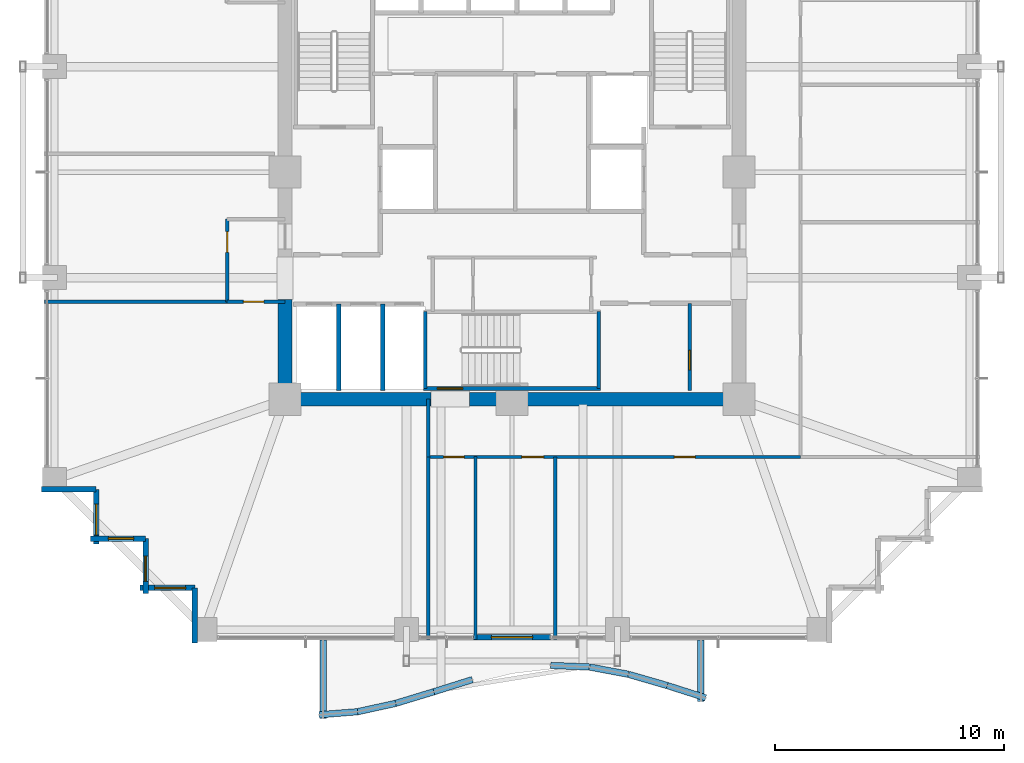
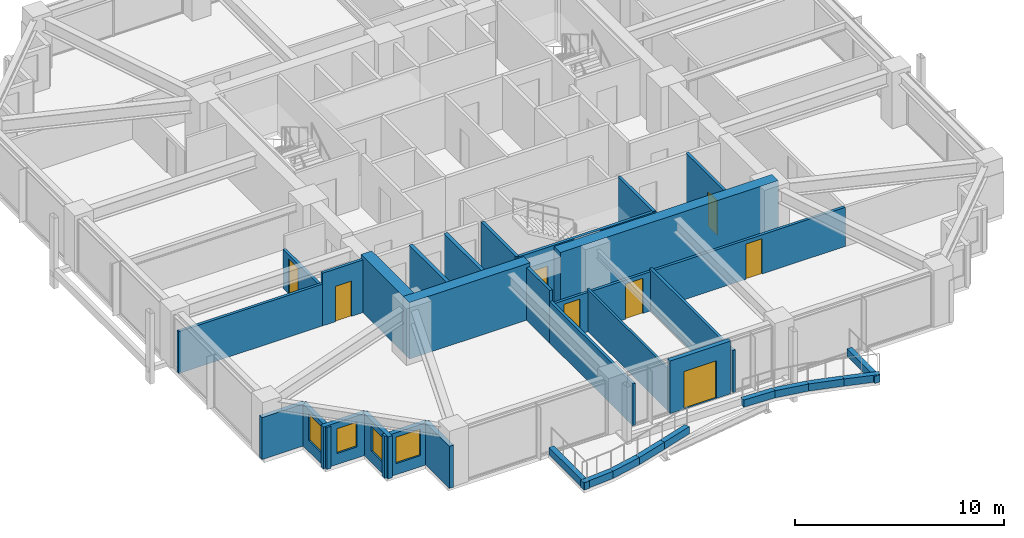
# One storey, part 32 of 38: 34 walls, 8 doors, 4 windows, 12 openings.
"""IFC4 building model written with IfcOpenShell, lengths in metres."""

from ifc_helpers import new_model, si_unit, direction, frame, frame_2d, origin, place, context, subcontext, project, spatial, rectangle, extrude, material, layer, layer_set, type_object, element, fill, save


model = new_model("IFC4")

# Units and contexts
model_context = context("Model", 3, precision=1e-05, world=origin(), true_north=direction((0.0, 1.0)))
body_context = subcontext(model_context, "Body", "Model", "MODEL_VIEW")
ifc_project = project(units=[si_unit("LENGTHUNIT", "METRE"), si_unit("AREAUNIT", "SQUARE_METRE"), si_unit("VOLUMEUNIT", "CUBIC_METRE"), si_unit("PLANEANGLEUNIT", "RADIAN"), si_unit("MASSUNIT", "GRAM", prefix="KILO")], contexts=[model_context])

# Site, building, storey
site_placement = place(None, origin())
site = spatial("IfcSite", under=ifc_project, at=site_placement, CompositionType="ELEMENT")
building_placement = place(site_placement, origin())
building = spatial("IfcBuilding", under=site, at=building_placement, Name="Kolvaren Belvedere", CompositionType="ELEMENT")
storey_placement = place(building_placement, frame((0.0, 0.0, 72.199951171875)))
storey = spatial("IfcBuildingStorey", under=building, at=storey_placement, Name="L20", CompositionType="ELEMENT", Elevation=72.199951171875)

# Walls
ifc_material_1 = material(Name="Concrete C60/75", Category="concrete")
ifc_layer_1 = layer(ifc_material_1, 0.60009765625)
ifc_layer_set_1 = layer_set([ifc_layer_1], Name="Concrete C60/75")
wall_type_1 = type_object("IfcWallType", Name="CW-CORE-600", PredefinedType="SHEAR", material=ifc_layer_set_1)
wall_1_placement = place(storey_placement, frame((10.199951171875, -9.89990234375, 0.0), z_axis=(0.0, 0.0, 1.0), x_axis=(-1.0, 0.0, 0.0)))
element("IfcWall", 1, at=wall_1_placement, inside=storey, type_object=wall_type_1, Name="L20 South Core Shear Wall 1", PredefinedType="SHEAR", context=body_context, shape_type="SweptSolid", body=[
    extrude(rectangle(XDim=12.06005859375, YDim=0.60009765625, at=frame_2d((6.030029296875, 0.0))), origin(), (0.0, 0.0, 1.0), 3.300048828125),
])
wall_2_placement = place(storey_placement, frame((-3.5400390625, -9.89990234375, 0.0), z_axis=(0.0, 0.0, 1.0), x_axis=(-1.0, 0.0, 0.0)))
element("IfcWall", 2, at=wall_2_placement, inside=storey, type_object=wall_type_1, Name="L20 South Core Shear Wall 2", PredefinedType="SHEAR", context=body_context, shape_type="SweptSolid", body=[
    extrude(rectangle(XDim=6.659912109375, YDim=0.60009765625, at=frame_2d((3.330078125, 0.0))), origin(), (0.0, 0.0, 1.0), 3.300048828125),
])
wall_3_placement = place(storey_placement, frame((-9.89990234375, -9.60009765625, 0.0), z_axis=(0.0, 0.0, 1.0), x_axis=(0.0, 1.0, 0.0)))
element("IfcWall", 3, at=wall_3_placement, inside=storey, type_object=wall_type_1, Name="L20 West Core Shear Wall 1", PredefinedType="SHEAR", context=body_context, shape_type="SweptSolid", body=[
    extrude(rectangle(XDim=4.050048828125, YDim=0.60009765625, at=frame_2d((2.02490234375, 0.0))), origin(), (0.0, 0.0, 1.0), 3.300048828125),
])

# Wall, opening, door
ifc_material_2 = material(Name="Concrete C50/60", Category="concrete")
ifc_layer_2 = layer(ifc_material_2, 0.159912109375)
ifc_layer_set_2 = layer_set([ifc_layer_2], Name="Concrete C50/60")
wall_type_2 = type_object("IfcWallType", Name="CW-STAIR-160", PredefinedType="SHEAR", material=ifc_layer_set_2)
wall_4_placement = place(storey_placement, frame((3.860107421875, -9.429931640625, 0.0), z_axis=(0.0, 0.0, 1.0), x_axis=(-1.0, 0.0, 0.0)))
wall_4 = element("IfcWall", 4, at=wall_4_placement, inside=storey, type_object=wall_type_2, Name="L20 Stair ST-3 South Shear Wall", PredefinedType="SHEAR", context=body_context, shape_type="SweptSolid", body=[
    extrude(rectangle(XDim=7.72021484375, YDim=0.159912109375, at=frame_2d((3.860107421875, 0.0))), origin(), (0.0, 0.0, 1.0), 3.300048828125),
])
opening_1_placement = place(wall_4_placement, frame((6.010009765625, 0.0, 0.0)))
opening_1 = element("IfcOpeningElement", 5, at=opening_1_placement, cuts=wall_4, Name="Opening D-FD90", PredefinedType="OPENING", context=body_context, shape_type="SweptSolid", body=[
    extrude(rectangle(XDim=1.10009765625, YDim=2.199951171875, at=frame_2d((0.550048828125, 1.10009765625))), frame((0.0, 0.08984375, 0.0), z_axis=(0.0, -1.0, 0.0), x_axis=(1.0, 0.0, 0.0)), (0.0, 0.0, 1.0), 0.179931640625),
])
ifc_material_3 = material(Name="Painted hollow stainless steel", Category="steel")
door_type_1 = type_object("IfcDoorType", Name="DR-FD90-1100", OperationType="NOTDEFINED", PredefinedType="DOOR", material=ifc_material_3)
door_1_placement = place(opening_1_placement, origin())
door_1 = element("IfcDoor", 6, at=door_1_placement, inside=storey, type_object=door_type_1, Name="L20 Stair ST-3 Exit Door", OperationType="SINGLE_SWING_RIGHT", OverallHeight=2.199951171875, OverallWidth=1.10009765625, PredefinedType="DOOR", context=body_context, shape_type="SweptSolid", body=[
    extrude(rectangle(XDim=1.10009765625, YDim=2.199951171875, at=frame_2d((0.550048828125, 1.10009765625))), frame((0.0, 0.02490234375, 0.0), z_axis=(0.0, -1.0, 0.0), x_axis=(1.0, 0.0, 0.0)), (0.0, 0.0, 1.0), 0.050048828125),
])
fill(opening_1, door_1)

# Walls
for number, where, z_axis, x_axis, name in (
    (7, (-3.780029296875, -9.429931640625, 0.0), (0.0, 0.0, 1.0), (0.0, 1.0, 0.0), "L20 Stair ST-3 West Shear Wall"),
    (8, (3.780029296875, -9.429931640625, 0.0), (0.0, 0.0, 1.0), (0.0, 1.0, 0.0), "L20 Stair ST-3 East Shear Wall"),
):
    element("IfcWall", number, at=place(storey_placement, frame(where, z_axis=z_axis, x_axis=x_axis)), inside=storey, type_object=wall_type_2, Name=name, PredefinedType="SHEAR", context=body_context, shape_type="SweptSolid", body=[
        extrude(rectangle(XDim=3.349853515625, YDim=0.159912109375, at=frame_2d((1.6748046875, 0.0))), origin(), (0.0, 0.0, 1.0), 3.300048828125),
    ])

# Wall, openings, doors
ifc_material_4 = material(Name="Gypsum fire-rated partition assembly", Category="gypsum")
ifc_layer_3 = layer(ifc_material_4, 0.14990234375)
ifc_layer_set_3 = layer_set([ifc_layer_3], Name="Gypsum fire-rated partition assembly")
wall_type_3 = type_object("IfcWallType", Name="WL-CORR-150", PredefinedType="PARTITIONING", material=ifc_layer_set_3)
wall_5_placement = place(storey_placement, frame((-3.64990234375, -12.419921875, 0.0), z_axis=(0.0, 0.0, 1.0), x_axis=(1.0, 0.0, 0.0)))
wall_5 = element("IfcWall", 9, at=wall_5_placement, inside=storey, type_object=wall_type_3, Name="L20 South-East Corridor Wall", PredefinedType="PARTITIONING", context=body_context, shape_type="SweptSolid", body=[
    extrude(rectangle(XDim=16.22998046875, YDim=0.14990234375, at=frame_2d((8.114990234375, 0.0))), origin(), (0.0, 0.0, 1.0), 2.2919921875),
])
opening_2_placement = place(wall_5_placement, frame((0.666015625, 0.0, 0.0)))
opening_2 = element("IfcOpeningElement", 10, at=opening_2_placement, cuts=wall_5, Name="Opening D-INT90", PredefinedType="OPENING", context=body_context, shape_type="SweptSolid", body=[
    extrude(rectangle(XDim=0.89990234375, YDim=2.06005859375, at=frame_2d((0.449951171875, 1.030029296875))), frame((0.0, 0.0849609375, 0.0), z_axis=(0.0, -1.0, 0.0), x_axis=(1.0, 0.0, 0.0)), (0.0, 0.0, 1.0), 0.169921875),
])
opening_3_placement = place(wall_5_placement, frame((4.07958984375, 0.0, 0.0)))
opening_3 = element("IfcOpeningElement", 11, at=opening_3_placement, cuts=wall_5, Name="Opening D-INT95", PredefinedType="OPENING", context=body_context, shape_type="SweptSolid", body=[
    extrude(rectangle(XDim=0.949951171875, YDim=2.06005859375, at=frame_2d((0.47509765625, 1.030029296875))), frame((0.0, 0.0849609375, 0.0), z_axis=(0.0, -1.0, 0.0), x_axis=(1.0, 0.0, 0.0)), (0.0, 0.0, 1.0), 0.169921875),
])
opening_4_placement = place(wall_5_placement, frame((10.735107421875, 0.0, 0.0)))
opening_4 = element("IfcOpeningElement", 12, at=opening_4_placement, cuts=wall_5, Name="Opening D-INT90", PredefinedType="OPENING", context=body_context, shape_type="SweptSolid", body=[
    extrude(rectangle(XDim=0.89990234375, YDim=2.06005859375, at=frame_2d((0.449951171875, 1.030029296875))), frame((0.0, 0.0849609375, 0.0), z_axis=(0.0, -1.0, 0.0), x_axis=(1.0, 0.0, 0.0)), (0.0, 0.0, 1.0), 0.169921875),
])
ifc_material_5 = material(Name="Stained Pacific white oak", Category="timber")
door_type_2 = type_object("IfcDoorType", Name="DR-INT-900", OperationType="NOTDEFINED", PredefinedType="DOOR", material=ifc_material_5)
door_2_placement = place(opening_2_placement, origin())
door_2 = element("IfcDoor", 13, at=door_2_placement, inside=storey, type_object=door_type_2, Name="L20 Housekeeping Door", OperationType="SINGLE_SWING_RIGHT", OverallHeight=2.06005859375, OverallWidth=0.89990234375, PredefinedType="DOOR", context=body_context, shape_type="SweptSolid", body=[
    extrude(rectangle(XDim=0.89990234375, YDim=2.06005859375, at=frame_2d((0.449951171875, 1.030029296875))), frame((0.0, 0.02490234375, 0.0), z_axis=(0.0, -1.0, 0.0), x_axis=(1.0, 0.0, 0.0)), (0.0, 0.0, 1.0), 0.050048828125),
])
fill(opening_2, door_2)
door_3_placement = place(opening_4_placement, origin())
door_3 = element("IfcDoor", 14, at=door_3_placement, inside=storey, type_object=door_type_2, Name="L20 Lounge 2010 Door", OperationType="SINGLE_SWING_RIGHT", OverallHeight=2.06005859375, OverallWidth=0.89990234375, PredefinedType="DOOR", context=body_context, shape_type="SweptSolid", body=[
    extrude(rectangle(XDim=0.89990234375, YDim=2.06005859375, at=frame_2d((0.449951171875, 1.030029296875))), frame((0.0, 0.02490234375, 0.0), z_axis=(0.0, -1.0, 0.0), x_axis=(1.0, 0.0, 0.0)), (0.0, 0.0, 1.0), 0.050048828125),
])
fill(opening_4, door_3)
ifc_material_6 = material(Name="Stained Pacific white oak", Category="timber")
door_type_3 = type_object("IfcDoorType", Name="DR-INT-950", OperationType="NOTDEFINED", PredefinedType="DOOR", material=ifc_material_6)
door_4_placement = place(opening_3_placement, origin())
door_4 = element("IfcDoor", 15, at=door_4_placement, inside=storey, type_object=door_type_3, Name="L20 Accessible Washroom Door", OperationType="SINGLE_SWING_LEFT", OverallHeight=2.06005859375, OverallWidth=0.949951171875, PredefinedType="DOOR", context=body_context, shape_type="SweptSolid", body=[
    extrude(rectangle(XDim=0.949951171875, YDim=2.06005859375, at=frame_2d((0.47509765625, 1.030029296875))), frame((0.0, 0.02490234375, 0.0), z_axis=(0.0, -1.0, 0.0), x_axis=(1.0, 0.0, 0.0)), (0.0, 0.0, 1.0), 0.050048828125),
])
fill(opening_3, door_4)

# Wall
wall_6_placement = place(storey_placement, frame((-3.64990234375, -12.419921875, 0.0), z_axis=(0.0, 0.0, 1.0), x_axis=(0.0, 1.0, 0.0)))
element("IfcWall", 16, at=wall_6_placement, inside=storey, type_object=wall_type_3, Name="L20 South Spur West Closure Wall", PredefinedType="PARTITIONING", context=body_context, shape_type="SweptSolid", body=[
    extrude(rectangle(XDim=2.52001953125, YDim=0.14990234375, at=frame_2d((1.260009765625, 0.0))), origin(), (0.0, 0.0, 1.0), 3.080078125),
])

# Wall, opening, door
wall_7_placement = place(storey_placement, frame((-12.419921875, -5.64990234375, 0.0), z_axis=(0.0, 0.0, 1.0), x_axis=(0.0, 1.0, 0.0)))
wall_7 = element("IfcWall", 17, at=wall_7_placement, inside=storey, type_object=wall_type_3, Name="L20 West FSAE Pocket Wall", PredefinedType="PARTITIONING", context=body_context, shape_type="SweptSolid", body=[
    extrude(rectangle(XDim=3.599853515625, YDim=0.14990234375, at=frame_2d((1.7998046875, 0.0))), origin(), (0.0, 0.0, 1.0), 2.2919921875),
])
opening_5_placement = place(wall_7_placement, frame((2.15625, 0.0, 0.0)))
opening_5 = element("IfcOpeningElement", 18, at=opening_5_placement, cuts=wall_7, Name="Opening D-INT90", PredefinedType="OPENING", context=body_context, shape_type="SweptSolid", body=[
    extrude(rectangle(XDim=0.89990234375, YDim=2.06005859375, at=frame_2d((0.449951171875, 1.030029296875))), frame((0.0, 0.0849609375, 0.0), z_axis=(0.0, -1.0, 0.0), x_axis=(1.0, 0.0, 0.0)), (0.0, 0.0, 1.0), 0.169921875),
])
door_5_placement = place(opening_5_placement, origin())
door_5 = element("IfcDoor", 19, at=door_5_placement, inside=storey, type_object=door_type_2, Name="L20 Lounge 2008 Door", OperationType="SINGLE_SWING_RIGHT", OverallHeight=2.06005859375, OverallWidth=0.89990234375, PredefinedType="DOOR", context=body_context, shape_type="SweptSolid", body=[
    extrude(rectangle(XDim=0.89990234375, YDim=2.06005859375, at=frame_2d((0.449951171875, 1.030029296875))), frame((0.0, 0.02490234375, 0.0), z_axis=(0.0, -1.0, 0.0), x_axis=(1.0, 0.0, 0.0)), (0.0, 0.0, 1.0), 0.050048828125),
])
fill(opening_5, door_5)

wall_8_placement = place(storey_placement, frame((-12.419921875, -5.64990234375, 0.0), z_axis=(0.0, 0.0, 1.0), x_axis=(1.0, 0.0, 0.0)))
wall_8 = element("IfcWall", 20, at=wall_8_placement, inside=storey, type_object=wall_type_3, Name="L20 West Pocket South Closure Wall", PredefinedType="PARTITIONING", context=body_context, shape_type="SweptSolid", body=[
    extrude(rectangle(XDim=2.52001953125, YDim=0.14990234375, at=frame_2d((1.260009765625, 0.0))), origin(), (0.0, 0.0, 1.0), 3.080078125),
])
opening_6_placement = place(wall_8_placement, frame((0.705078125, 0.0, 0.0)))
opening_6 = element("IfcOpeningElement", 21, at=opening_6_placement, cuts=wall_8, Name="Opening D-INT90", PredefinedType="OPENING", context=body_context, shape_type="SweptSolid", body=[
    extrude(rectangle(XDim=0.89990234375, YDim=2.06005859375, at=frame_2d((0.449951171875, 1.030029296875))), frame((0.0, 0.0849609375, 0.0), z_axis=(0.0, -1.0, 0.0), x_axis=(1.0, 0.0, 0.0)), (0.0, 0.0, 1.0), 0.169921875),
])
door_6_placement = place(opening_6_placement, origin())
door_6 = element("IfcDoor", 22, at=door_6_placement, inside=storey, type_object=door_type_2, Name="L20 Lounge 2009 Door", OperationType="SINGLE_SWING_LEFT", OverallHeight=2.06005859375, OverallWidth=0.89990234375, PredefinedType="DOOR", context=body_context, shape_type="SweptSolid", body=[
    extrude(rectangle(XDim=0.89990234375, YDim=2.06005859375, at=frame_2d((0.449951171875, 1.030029296875))), frame((0.0, 0.02490234375, 0.0), z_axis=(0.0, -1.0, 0.0), x_axis=(1.0, 0.0, 0.0)), (0.0, 0.0, 1.0), 0.050048828125),
])
fill(opening_6, door_6)

ifc_material_7 = material(Name="Insulated pale-metal facade wall assembly", Category="aluminium")
ifc_layer_4 = layer(ifc_material_7, 0.239990234375)
ifc_layer_set_4 = layer_set([ifc_layer_4], Name="Insulated pale-metal facade wall assembly")
wall_type_4 = type_object("IfcWallType", Name="WL-EXT-240", PredefinedType="STANDARD", material=ifc_layer_set_4)
wall_9_placement = place(storey_placement, frame((1.679931640625, -20.280029296875, 0.0), z_axis=(0.0, 0.0, 1.0), x_axis=(-1.0, 0.0, 0.0)))
wall_9 = element("IfcWall", 23, at=wall_9_placement, inside=storey, type_object=wall_type_4, Name="L20 South Terrace Portal Wall", PredefinedType="STANDARD", context=body_context, shape_type="SweptSolid", body=[
    extrude(rectangle(XDim=3.35986328125, YDim=0.239990234375, at=frame_2d((1.679931640625, 0.0))), origin(), (0.0, 0.0, 1.0), 3.080078125),
])
opening_7_placement = place(wall_9_placement, frame((0.780029296875, 0.0, 0.0)))
opening_7 = element("IfcOpeningElement", 24, at=opening_7_placement, cuts=wall_9, Name="Opening DB-1800", PredefinedType="OPENING", context=body_context, shape_type="SweptSolid", body=[
    extrude(rectangle(XDim=1.800048828125, YDim=2.199951171875, at=frame_2d((0.89990234375, 1.10009765625))), frame((0.0, 0.1298828125, 0.0), z_axis=(0.0, -1.0, 0.0), x_axis=(1.0, 0.0, 0.0)), (0.0, 0.0, 1.0), 0.260009765625),
])
ifc_material_8 = material(Name="Thermally broken pale-metal aluminium & low-iron glass", Category="aluminium")
door_type_4 = type_object("IfcDoorType", Name="DR-BAL-1800", OperationType="DOUBLE_DOOR_SLIDING", PredefinedType="DOOR", material=ifc_material_8)
door_7_placement = place(opening_7_placement, origin())
door_7 = element("IfcDoor", 25, at=door_7_placement, inside=storey, type_object=door_type_4, Name="L20 South Planted Terrace Sliding Door", OperationType="DOUBLE_DOOR_SLIDING", OverallHeight=2.199951171875, OverallWidth=1.800048828125, PredefinedType="DOOR", context=body_context, shape_type="SweptSolid", body=[
    extrude(rectangle(XDim=1.800048828125, YDim=2.199951171875, at=frame_2d((0.89990234375, 1.10009765625))), frame((0.0, 0.02490234375, 0.0), z_axis=(0.0, -1.0, 0.0), x_axis=(1.0, 0.0, 0.0)), (0.0, 0.0, 1.0), 0.050048828125),
])
fill(opening_7, door_7)

# Wall
wall_10_placement = place(storey_placement, frame((-18.1298828125, -13.830078125, 0.0), z_axis=(0.0, 0.0, 1.0), x_axis=(-1.0, 0.0, 0.0)))
element("IfcWall", 26, at=wall_10_placement, inside=storey, type_object=wall_type_4, Name="L20 Serrated Corner Facade Wall 23", PredefinedType="STANDARD", context=body_context, shape_type="SweptSolid", body=[
    extrude(rectangle(XDim=2.39013671875, YDim=0.239990234375, at=frame_2d((1.195068359375, 0.0))), origin(), (0.0, 0.0, 1.0), 2.458984375),
])

# Wall, opening, window
wall_11_placement = place(storey_placement, frame((-18.1298828125, -16.219970703125, 0.0), z_axis=(0.0, 0.0, 1.0), x_axis=(0.0, 1.0, 0.0)))
wall_11 = element("IfcWall", 27, at=wall_11_placement, inside=storey, type_object=wall_type_4, Name="L20 Serrated Corner Facade Wall 24", PredefinedType="STANDARD", context=body_context, shape_type="SweptSolid", body=[
    extrude(rectangle(XDim=2.389892578125, YDim=0.239990234375, at=frame_2d((1.19482421875, 0.0))), origin(), (0.0, 0.0, 1.0), 2.458984375),
])
opening_8_placement = place(wall_11_placement, frame((0.39990234375, 0.0, 0.64990234375)))
opening_8 = element("IfcOpeningElement", 28, at=opening_8_placement, cuts=wall_11, Name="Opening W-1350", PredefinedType="OPENING", context=body_context, shape_type="SweptSolid", body=[
    extrude(rectangle(XDim=1.35009765625, YDim=1.550048828125, at=frame_2d((0.675048828125, 0.77490234375))), frame((0.0, 0.1298828125, 0.0), z_axis=(0.0, -1.0, 0.0), x_axis=(1.0, 0.0, 0.0)), (0.0, 0.0, 1.0), 0.260009765625),
])
ifc_material_9 = material(Name="Low-iron triple insulated glass", Category="glass")
window_type_1 = type_object("IfcWindowType", Name="WN-CORN-1350", PartitioningType="SINGLE_PANEL", PredefinedType="WINDOW", material=ifc_material_9)
window_1_placement = place(opening_8_placement, origin())
window_1 = element("IfcWindow", 29, at=window_1_placement, inside=storey, type_object=window_type_1, Name="L20 Serrated Corner Vision Window 24", OverallHeight=1.550048828125, OverallWidth=1.35009765625, PartitioningType="SINGLE_PANEL", PredefinedType="WINDOW", context=body_context, shape_type="SweptSolid", body=[
    extrude(rectangle(XDim=1.35009765625, YDim=1.550048828125, at=frame_2d((0.675048828125, 0.77490234375))), frame((0.0, 0.030029296875, 0.0), z_axis=(0.0, -1.0, 0.0), x_axis=(1.0, 0.0, 0.0)), (0.0, 0.0, 1.0), 0.06005859375),
])
fill(opening_8, window_1)

wall_12_placement = place(storey_placement, frame((-15.97998046875, -15.97998046875, 0.0), z_axis=(0.0, 0.0, 1.0), x_axis=(-1.0, 0.0, 0.0)))
wall_12 = element("IfcWall", 30, at=wall_12_placement, inside=storey, type_object=wall_type_4, Name="L20 Serrated Corner Facade Wall 25", PredefinedType="STANDARD", context=body_context, shape_type="SweptSolid", body=[
    extrude(rectangle(XDim=2.39013671875, YDim=0.239990234375, at=frame_2d((1.195068359375, 0.0))), origin(), (0.0, 0.0, 1.0), 2.458984375),
])
opening_9_placement = place(wall_12_placement, frame((0.52490234375, 0.0, 0.64990234375)))
opening_9 = element("IfcOpeningElement", 31, at=opening_9_placement, cuts=wall_12, Name="Opening W-1100", PredefinedType="OPENING", context=body_context, shape_type="SweptSolid", body=[
    extrude(rectangle(XDim=1.10009765625, YDim=1.449951171875, at=frame_2d((0.550048828125, 0.72509765625))), frame((0.0, 0.1298828125, 0.0), z_axis=(0.0, -1.0, 0.0), x_axis=(1.0, 0.0, 0.0)), (0.0, 0.0, 1.0), 0.260009765625),
])
ifc_material_10 = material(Name="Low-iron triple insulated glass", Category="glass")
window_type_2 = type_object("IfcWindowType", Name="WN-CORN-1100", PartitioningType="SINGLE_PANEL", PredefinedType="WINDOW", material=ifc_material_10)
window_2_placement = place(opening_9_placement, origin())
window_2 = element("IfcWindow", 32, at=window_2_placement, inside=storey, type_object=window_type_2, Name="L20 Serrated Corner Vision Window 25", OverallHeight=1.449951171875, OverallWidth=1.10009765625, PartitioningType="SINGLE_PANEL", PredefinedType="WINDOW", context=body_context, shape_type="SweptSolid", body=[
    extrude(rectangle(XDim=1.10009765625, YDim=1.449951171875, at=frame_2d((0.550048828125, 0.72509765625))), frame((0.0, 0.030029296875, 0.0), z_axis=(0.0, -1.0, 0.0), x_axis=(1.0, 0.0, 0.0)), (0.0, 0.0, 1.0), 0.06005859375),
])
fill(opening_9, window_2)

wall_13_placement = place(storey_placement, frame((-15.97998046875, -18.3701171875, 0.0), z_axis=(0.0, 0.0, 1.0), x_axis=(0.0, 1.0, 0.0)))
wall_13 = element("IfcWall", 33, at=wall_13_placement, inside=storey, type_object=wall_type_4, Name="L20 Serrated Corner Facade Wall 26", PredefinedType="STANDARD", context=body_context, shape_type="SweptSolid", body=[
    extrude(rectangle(XDim=2.39013671875, YDim=0.239990234375, at=frame_2d((1.195068359375, 0.0))), origin(), (0.0, 0.0, 1.0), 2.458984375),
])
opening_10_placement = place(wall_13_placement, frame((0.52490234375, 0.0, 0.64990234375)))
opening_10 = element("IfcOpeningElement", 34, at=opening_10_placement, cuts=wall_13, Name="Opening W-1100", PredefinedType="OPENING", context=body_context, shape_type="SweptSolid", body=[
    extrude(rectangle(XDim=1.10009765625, YDim=1.449951171875, at=frame_2d((0.550048828125, 0.72509765625))), frame((0.0, 0.1298828125, 0.0), z_axis=(0.0, -1.0, 0.0), x_axis=(1.0, 0.0, 0.0)), (0.0, 0.0, 1.0), 0.260009765625),
])
window_3_placement = place(opening_10_placement, origin())
window_3 = element("IfcWindow", 35, at=window_3_placement, inside=storey, type_object=window_type_2, Name="L20 Serrated Corner Vision Window 26", OverallHeight=1.449951171875, OverallWidth=1.10009765625, PartitioningType="SINGLE_PANEL", PredefinedType="WINDOW", context=body_context, shape_type="SweptSolid", body=[
    extrude(rectangle(XDim=1.10009765625, YDim=1.449951171875, at=frame_2d((0.550048828125, 0.72509765625))), frame((0.0, 0.030029296875, 0.0), z_axis=(0.0, -1.0, 0.0), x_axis=(1.0, 0.0, 0.0)), (0.0, 0.0, 1.0), 0.06005859375),
])
fill(opening_10, window_3)

wall_14_placement = place(storey_placement, frame((-13.830078125, -18.1298828125, 0.0), z_axis=(0.0, 0.0, 1.0), x_axis=(-1.0, 0.0, 0.0)))
wall_14 = element("IfcWall", 36, at=wall_14_placement, inside=storey, type_object=wall_type_4, Name="L20 Serrated Corner Facade Wall 27", PredefinedType="STANDARD", context=body_context, shape_type="SweptSolid", body=[
    extrude(rectangle(XDim=2.389892578125, YDim=0.239990234375, at=frame_2d((1.19482421875, 0.0))), origin(), (0.0, 0.0, 1.0), 2.458984375),
])
opening_11_placement = place(wall_14_placement, frame((0.39990234375, 0.0, 0.64990234375)))
opening_11 = element("IfcOpeningElement", 37, at=opening_11_placement, cuts=wall_14, Name="Opening W-1350", PredefinedType="OPENING", context=body_context, shape_type="SweptSolid", body=[
    extrude(rectangle(XDim=1.35009765625, YDim=1.550048828125, at=frame_2d((0.675048828125, 0.77490234375))), frame((0.0, 0.1298828125, 0.0), z_axis=(0.0, -1.0, 0.0), x_axis=(1.0, 0.0, 0.0)), (0.0, 0.0, 1.0), 0.260009765625),
])
window_4_placement = place(opening_11_placement, origin())
window_4 = element("IfcWindow", 38, at=window_4_placement, inside=storey, type_object=window_type_1, Name="L20 Serrated Corner Vision Window 27", OverallHeight=1.550048828125, OverallWidth=1.35009765625, PartitioningType="SINGLE_PANEL", PredefinedType="WINDOW", context=body_context, shape_type="SweptSolid", body=[
    extrude(rectangle(XDim=1.35009765625, YDim=1.550048828125, at=frame_2d((0.675048828125, 0.77490234375))), frame((0.0, 0.030029296875, 0.0), z_axis=(0.0, -1.0, 0.0), x_axis=(1.0, 0.0, 0.0)), (0.0, 0.0, 1.0), 0.06005859375),
])
fill(opening_11, window_4)

# Wall
wall_15_placement = place(storey_placement, frame((-13.830078125, -20.52001953125, 0.0), z_axis=(0.0, 0.0, 1.0), x_axis=(0.0, 1.0, 0.0)))
element("IfcWall", 39, at=wall_15_placement, inside=storey, type_object=wall_type_4, Name="L20 Serrated Corner Facade Wall 28", PredefinedType="STANDARD", context=body_context, shape_type="SweptSolid", body=[
    extrude(rectangle(XDim=2.39013671875, YDim=0.239990234375, at=frame_2d((1.195068359375, 0.0))), origin(), (0.0, 0.0, 1.0), 2.458984375),
])

# Wall, opening, door
ifc_material_11 = material(Name="Gypsum acoustic partition assembly", Category="gypsum")
ifc_layer_5 = layer(ifc_material_11, 0.14990234375)
ifc_layer_set_5 = layer_set([ifc_layer_5], Name="Gypsum acoustic partition assembly")
wall_type_5 = type_object("IfcWallType", Name="WL-PART-150", PredefinedType="PARTITIONING", material=ifc_layer_set_5)
wall_16_placement = place(storey_placement, frame((7.75, -9.52001953125, 0.0), z_axis=(0.0, 0.0, 1.0), x_axis=(0.0, 1.0, 0.0)))
wall_16 = element("IfcWall", 40, at=wall_16_placement, inside=storey, type_object=wall_type_5, Name="L20 SE Core Asymmetric Divider", PredefinedType="PARTITIONING", context=body_context, shape_type="SweptSolid", body=[
    extrude(rectangle(XDim=3.800048828125, YDim=0.14990234375, at=frame_2d((1.89990234375, 0.0))), origin(), (0.0, 0.0, 1.0), 3.080078125),
])
opening_12_placement = place(wall_16_placement, frame((0.89990234375, 0.0, 0.0)))
opening_12 = element("IfcOpeningElement", 41, at=opening_12_placement, cuts=wall_16, Name="Opening D-INT85", PredefinedType="OPENING", context=body_context, shape_type="SweptSolid", body=[
    extrude(rectangle(XDim=0.85009765625, YDim=2.030029296875, at=frame_2d((0.425048828125, 1.01513671875))), frame((0.0, 0.0849609375, 0.0), z_axis=(0.0, -1.0, 0.0), x_axis=(1.0, 0.0, 0.0)), (0.0, 0.0, 1.0), 0.169921875),
])
ifc_material_12 = material(Name="Stained Pacific white oak", Category="timber")
door_type_5 = type_object("IfcDoorType", Name="DR-INT-850", OperationType="NOTDEFINED", PredefinedType="DOOR", material=ifc_material_12)
door_8_placement = place(opening_12_placement, origin())
door_8 = element("IfcDoor", 42, at=door_8_placement, inside=storey, type_object=door_type_5, Name="L20 SE Janitor Door", OperationType="SINGLE_SWING_LEFT", OverallHeight=2.030029296875, OverallWidth=0.85009765625, PredefinedType="DOOR", context=body_context, shape_type="SweptSolid", body=[
    extrude(rectangle(XDim=0.85009765625, YDim=2.030029296875, at=frame_2d((0.425048828125, 1.01513671875))), frame((0.0, 0.02490234375, 0.0), z_axis=(0.0, -1.0, 0.0), x_axis=(1.0, 0.0, 0.0)), (0.0, 0.0, 1.0), 0.050048828125),
])
fill(opening_12, door_8)

# Walls
for number, where, z_axis, x_axis, name in (
    (43, (-20.3798828125, -5.64990234375, 0.0), (0.0, 0.0, 1.0), (1.0, 0.0, 0.0), "L20 West Mid Suite South Wall"),
    (44, (-3.64990234375, -20.3798828125, 0.0), (0.0, 0.0, 1.0), (0.0, 1.0, 0.0), "L20 South Mid-West Wall"),
    (45, (1.8798828125, -20.3798828125, 0.0), (0.0, 0.0, 1.0), (0.0, 1.0, 0.0), "L20 South-East Suite Divider 1"),
):
    element("IfcWall", number, at=place(storey_placement, frame(where, z_axis=z_axis, x_axis=x_axis)), inside=storey, type_object=wall_type_5, Name=name, PredefinedType="PARTITIONING", context=body_context, shape_type="SweptSolid", body=[
        extrude(rectangle(XDim=7.9599609375, YDim=0.14990234375, at=frame_2d((3.97998046875, 0.0))), origin(), (0.0, 0.0, 1.0), 2.448974609375),
    ])
ifc_material_13 = material(Name="Precast concrete C40/50", Category="concrete")
ifc_layer_6 = layer(ifc_material_13, 0.300048828125)
ifc_layer_set_6 = layer_set([ifc_layer_6], Name="Precast concrete C40/50")
wall_type_6 = type_object("IfcWallType", Name="WL-PLANTER-300", PredefinedType="PARAPET", material=ifc_layer_set_6)
wall_17_placement = place(storey_placement, frame((-8.41259765625, -23.660400390625, -0.0400390625), z_axis=(0.0, 0.0, 1.0), x_axis=(0.99685522818, 0.079244268248, 0.0)))
element("IfcWall", 46, at=wall_17_placement, inside=storey, type_object=wall_type_6, Name="L20 Precast Structural Planter Wall BAL-S-1", PredefinedType="PARAPET", context=body_context, shape_type="SweptSolid", body=[
    extrude(rectangle(XDim=1.685302734375, YDim=0.280029296875, at=frame_2d((0.8427734375, 0.0))), origin(), (0.0, 0.0, 1.0), 0.420166015625),
])
wall_18_placement = place(storey_placement, frame((-6.754150390625, -23.530029296875, -0.0400390625), z_axis=(0.0, 0.0, 1.0), x_axis=(0.976876857632, 0.213802724545, 0.0)))
element("IfcWall", 47, at=wall_18_placement, inside=storey, type_object=wall_type_6, Name="L20 Precast Structural Planter Wall BAL-S-2", PredefinedType="PARAPET", context=body_context, shape_type="SweptSolid", body=[
    extrude(rectangle(XDim=1.7197265625, YDim=0.280029296875, at=frame_2d((0.85986328125, 0.0))), origin(), (0.0, 0.0, 1.0), 0.420166015625),
])
wall_19_placement = place(storey_placement, frame((-5.086669921875, -23.16552734375, -0.0400390625), z_axis=(0.0, 0.0, 1.0), x_axis=(0.956771481005, 0.290840734999, 0.0)))
element("IfcWall", 48, at=wall_19_placement, inside=storey, type_object=wall_type_6, Name="L20 Precast Structural Planter Wall BAL-S-3", PredefinedType="PARAPET", context=body_context, shape_type="SweptSolid", body=[
    extrude(rectangle(XDim=1.756103515625, YDim=0.280029296875, at=frame_2d((0.8779296875, 0.0))), origin(), (0.0, 0.0, 1.0), 0.420166015625),
])
wall_20_placement = place(storey_placement, frame((-3.407958984375, -22.6552734375, -0.0400390625), z_axis=(0.0, 0.0, 1.0), x_axis=(0.954069594374, 0.299585061529, 0.0)))
element("IfcWall", 49, at=wall_20_placement, inside=storey, type_object=wall_type_6, Name="L20 Precast Structural Planter Wall BAL-S-4", PredefinedType="PARAPET", context=body_context, shape_type="SweptSolid", body=[
    extrude(rectangle(XDim=1.760986328125, YDim=0.280029296875, at=frame_2d((0.88037109375, 0.0))), origin(), (0.0, 0.0, 1.0), 0.420166015625),
])
wall_21_placement = place(storey_placement, frame((1.686279296875, -21.508544921875, -0.0400390625), z_axis=(0.0, 0.0, 1.0), x_axis=(0.999196778482, -0.040072407855, 0.0)))
element("IfcWall", 50, at=wall_21_placement, inside=storey, type_object=wall_type_6, Name="L20 Precast Structural Planter Wall BAL-S-7", PredefinedType="PARAPET", context=body_context, shape_type="SweptSolid", body=[
    extrude(rectangle(XDim=1.681640625, YDim=0.280029296875, at=frame_2d((0.8408203125, 0.0))), origin(), (0.0, 0.0, 1.0), 0.420166015625),
])
wall_22_placement = place(storey_placement, frame((3.3896484375, -21.57861328125, -0.0400390625), z_axis=(0.0, 0.0, 1.0), x_axis=(0.982799348901, -0.18467658162, 0.0)))
element("IfcWall", 51, at=wall_22_placement, inside=storey, type_object=wall_type_6, Name="L20 Precast Structural Planter Wall BAL-S-8", PredefinedType="PARAPET", context=body_context, shape_type="SweptSolid", body=[
    extrude(rectangle(XDim=1.709228515625, YDim=0.280029296875, at=frame_2d((0.8544921875, 0.0))), origin(), (0.0, 0.0, 1.0), 0.420166015625),
])
wall_23_placement = place(storey_placement, frame((5.08447265625, -21.89794921875, -0.0400390625), z_axis=(0.0, 0.0, 1.0), x_axis=(0.960633903819, -0.277817391164, 0.0)))
element("IfcWall", 52, at=wall_23_placement, inside=storey, type_object=wall_type_6, Name="L20 Precast Structural Planter Wall BAL-S-9", PredefinedType="PARAPET", context=body_context, shape_type="SweptSolid", body=[
    extrude(rectangle(XDim=1.748779296875, YDim=0.280029296875, at=frame_2d((0.87451171875, 0.0))), origin(), (0.0, 0.0, 1.0), 0.420166015625),
])
wall_24_placement = place(storey_placement, frame((6.7685546875, -22.38525390625, -0.0400390625), z_axis=(0.0, 0.0, 1.0), x_axis=(0.952661770826, -0.304032153573, 0.0)))
element("IfcWall", 53, at=wall_24_placement, inside=storey, type_object=wall_type_6, Name="L20 Precast Structural Planter Wall BAL-S-10", PredefinedType="PARAPET", context=body_context, shape_type="SweptSolid", body=[
    extrude(rectangle(XDim=1.763427734375, YDim=0.280029296875, at=frame_2d((0.8818359375, 0.0))), origin(), (0.0, 0.0, 1.0), 0.420166015625),
])
wall_25_placement = place(storey_placement, frame((8.239990234375, -23.07373046875, -0.0400390625), z_axis=(0.0, 0.0, 1.0), x_axis=(0.0, 1.0, 0.0)))
element("IfcWall", 54, at=wall_25_placement, inside=storey, type_object=wall_type_6, Name="L20 Precast Structural Planter Wall BAL-S-11", PredefinedType="PARAPET", context=body_context, shape_type="SweptSolid", body=[
    extrude(rectangle(XDim=2.673828125, YDim=0.280029296875, at=frame_2d((1.3369140625, 0.0))), origin(), (0.0, 0.0, 1.0), 0.420166015625),
])
wall_26_placement = place(storey_placement, frame((-8.239990234375, -20.39990234375, -0.0400390625), z_axis=(0.0, 0.0, 1.0), x_axis=(0.0, -1.0, 0.0)))
element("IfcWall", 55, at=wall_26_placement, inside=storey, type_object=wall_type_6, Name="L20 Precast Structural Planter Wall BAL-S-22", PredefinedType="PARAPET", context=body_context, shape_type="SweptSolid", body=[
    extrude(rectangle(XDim=3.420166015625, YDim=0.280029296875, at=frame_2d((1.7099609375, 0.0))), origin(), (0.0, 0.0, 1.0), 0.420166015625),
])
ifc_material_14 = material(Name="Concrete C50/60", Category="concrete")
ifc_layer_7 = layer(ifc_material_14, 0.199951171875)
ifc_layer_set_7 = layer_set([ifc_layer_7], Name="Concrete C50/60")
wall_type_7 = type_object("IfcWallType", Name="WL-SHAFT-200", PredefinedType="SOLIDWALL", material=ifc_layer_set_7)
for number, where, z_axis, x_axis, name in (
    (56, (-7.56005859375, -9.52001953125, 0.0), (0.0, 0.0, 1.0), (0.0, 1.0, 0.0), "L20 Mid-Rise Hoistway Divider 1"),
    (57, (-5.6298828125, -9.52001953125, 0.0), (0.0, 0.0, 1.0), (0.0, 1.0, 0.0), "L20 Mid-Rise Hoistway Divider 2"),
):
    element("IfcWall", number, at=place(storey_placement, frame(where, z_axis=z_axis, x_axis=x_axis)), inside=storey, type_object=wall_type_7, Name=name, PredefinedType="SOLIDWALL", context=body_context, shape_type="SweptSolid", body=[
        extrude(rectangle(XDim=3.77001953125, YDim=0.199951171875, at=frame_2d((1.885009765625, 0.0))), origin(), (0.0, 0.0, 1.0), 3.080078125),
    ])
ifc_material_15 = material(Name="Moisture-resistant gypsum partition", Category="gypsum")
ifc_layer_8 = layer(ifc_material_15, 0.125)
ifc_layer_set_8 = layer_set([ifc_layer_8], Name="Moisture-resistant gypsum partition")
wall_type_8 = type_object("IfcWallType", Name="WL-WET-125", PredefinedType="PARTITIONING", material=ifc_layer_set_8)
wall_27_placement = place(storey_placement, frame((-1.5869140625, -20.3798828125, 0.0), z_axis=(0.0, 0.0, 1.0), x_axis=(0.0, 1.0, 0.0)))
element("IfcWall", 58, at=wall_27_placement, inside=storey, type_object=wall_type_8, Name="L20 Housekeeping Washroom Divider", PredefinedType="PARTITIONING", context=body_context, shape_type="SweptSolid", body=[
    extrude(rectangle(XDim=7.98486328125, YDim=0.125, at=frame_2d((3.992431640625, 0.0))), origin(), (0.0, 0.0, 1.0), 2.448974609375),
])

save(model, "model.ifc")
